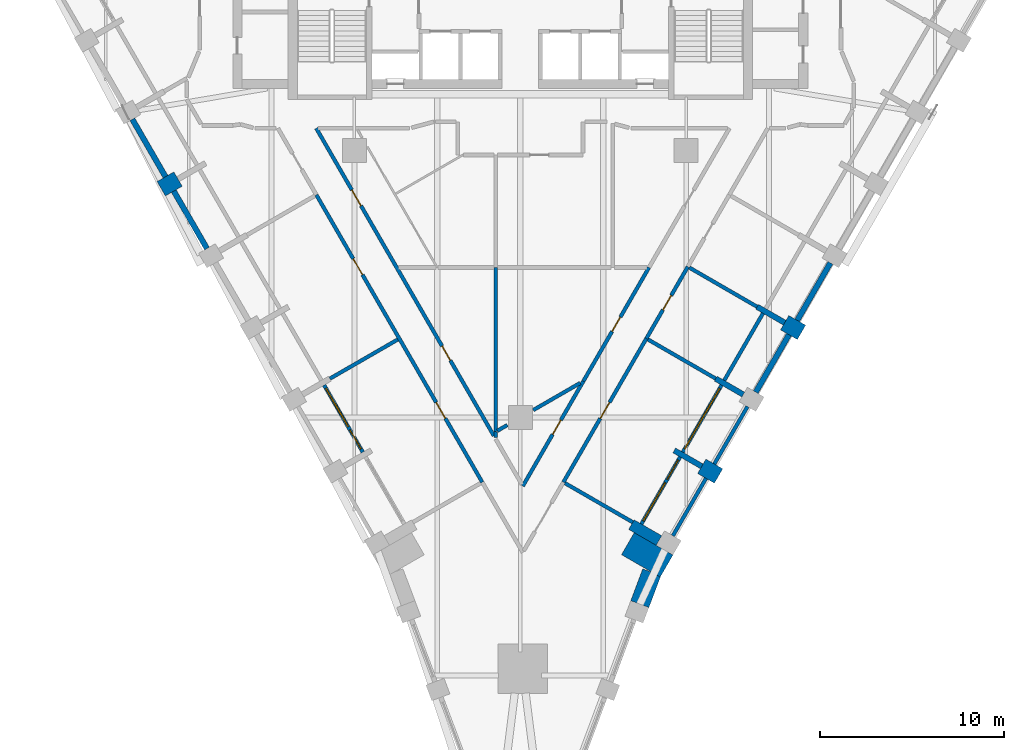
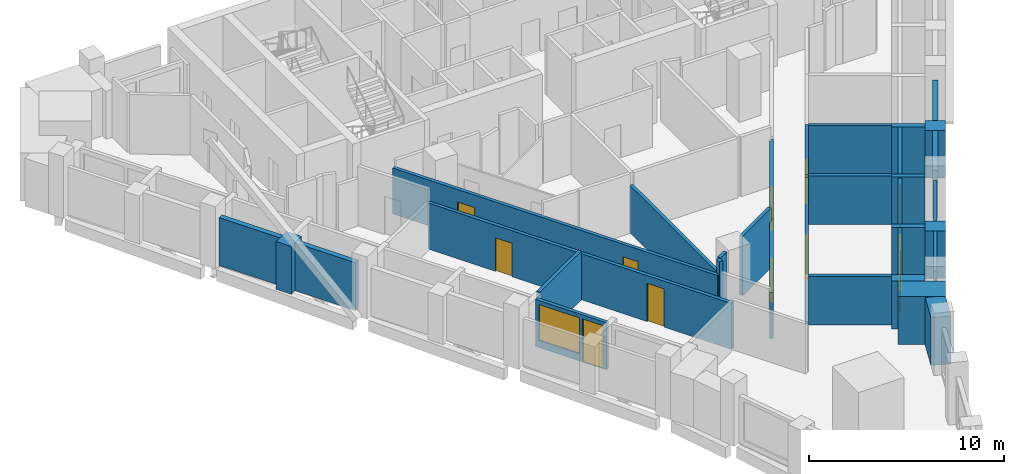
# One storey, part 3 of 9: 33 walls, 10 doors, 3 windows, 13 openings.
"""IFC4 building model written with IfcOpenShell, lengths in metres."""

from ifc_helpers import new_model, si_unit, direction, frame, frame_2d, origin, place, context, subcontext, project, spatial, polyline, rectangle, outline, extrude, material, layer, layer_set, type_object, element, fill, save


model = new_model("IFC4")

# Units and contexts
model_context = context("Model", 3, precision=1e-05, world=origin(), true_north=direction((0.0, 1.0)))
body_context = subcontext(model_context, "Body", "Model", "MODEL_VIEW")
ifc_project = project(units=[si_unit("LENGTHUNIT", "METRE"), si_unit("AREAUNIT", "SQUARE_METRE"), si_unit("VOLUMEUNIT", "CUBIC_METRE"), si_unit("PLANEANGLEUNIT", "RADIAN"), si_unit("MASSUNIT", "GRAM", prefix="KILO")], contexts=[model_context])

# Site, building, storey
site_placement = place(None, origin())
site = spatial("IfcSite", under=ifc_project, at=site_placement, CompositionType="ELEMENT")
building_placement = place(site_placement, origin())
building = spatial("IfcBuilding", under=site, at=building_placement, Name="Calabash Gate Tower", CompositionType="ELEMENT")
storey_placement = place(building_placement, frame((0.0, 0.0, 160.199951171875)))
storey = spatial("IfcBuildingStorey", under=building, at=storey_placement, Name="L37", CompositionType="ELEMENT", Elevation=160.199951171875)

# Walls
ifc_material_1 = material(Name="Terracotta brick masonry, exposed face", Category="masonry")
ifc_layer_1 = layer(ifc_material_1, 2.425048828125)
ifc_layer_set_1 = layer_set([ifc_layer_1], Name="Brick corner mass wall 2425")
wall_type_1 = type_object("IfcWallType", Name="Brick corner mass wall 2425", PredefinedType="SOLIDWALL", material=ifc_layer_set_1)
wall_1_placement = place(storey_placement, frame((5.837890625, -18.843994140625, 0.0), z_axis=(0.0, 0.0, 1.0), x_axis=(0.865997808697, -0.500047793048, 0.0)))
element("IfcWall", 1, at=wall_1_placement, inside=storey, type_object=wall_type_1, Name="Brick corner pier S10 2", PredefinedType="SOLIDWALL", context=body_context, shape_type="SweptSolid", body=[
    extrude(rectangle(XDim=2.425048828125, YDim=1.383544921875, at=frame_2d((1.21240234375, 0.0))), origin(), (0.0, 0.0, 1.0), 3.0),
])
ifc_material_2 = material(Name="Terracotta brick masonry, exposed face", Category="masonry")
ifc_layer_2 = layer(ifc_material_2, 1.050048828125)
ifc_layer_set_2 = layer_set([ifc_layer_2], Name="Brick end wall 1050")
wall_type_2 = type_object("IfcWallType", Name="Brick end wall 1050", PredefinedType="SOLIDWALL", material=ifc_layer_set_2)
wall_2_placement = place(storey_placement, frame((-19.48388671875, 0.417724609375, 0.0), z_axis=(0.0, 0.0, 1.0), x_axis=(0.86592997719, 0.500165247297, 0.0)))
element("IfcWall", 2, at=wall_2_placement, inside=storey, type_object=wall_type_2, Name="Brick pier S10 SW0.3", PredefinedType="SOLIDWALL", context=body_context, shape_type="SweptSolid", body=[
    extrude(rectangle(XDim=1.050048828125, YDim=0.89990234375, at=frame_2d((0.52490234375, 0.0))), origin(), (0.0, 0.0, 1.0), 3.0),
])
for number, where, z_axis, x_axis, name in (
    (3, (9.849609375, -14.645751953125, 0.0), (0.0, 0.0, 1.0), (0.866030680601, -0.499990860175, 0.0), "Brick pier S10 SE4.1"),
    (4, (14.349609375, -6.8515625, 0.0), (0.0, 0.0, 1.0), (0.866030680601, -0.499990860175, 0.0), "Brick pier S10 SE4.3"),
):
    element("IfcWall", number, at=place(storey_placement, frame(where, z_axis=z_axis, x_axis=x_axis)), inside=storey, type_object=wall_type_2, Name=name, PredefinedType="SOLIDWALL", context=body_context, shape_type="SweptSolid", body=[
        extrude(rectangle(XDim=1.0498046875, YDim=0.89990234375, at=frame_2d((0.52490234375, 0.0))), origin(), (0.0, 0.0, 1.0), 3.0),
    ])
wall_3_placement = place(storey_placement, origin())
element("IfcWall", 5, at=wall_3_placement, inside=storey, type_object=wall_type_2, Name="Brick end wall S10 3", PredefinedType="SOLIDWALL", context=body_context, shape_type="SweptSolid", body=[
    extrude(outline(polyline([(6.978759765625, -22.307373046875), (6.978515625, -22.307861328125), (6.978759765625, -22.307861328125), (7.61376953125, -20.618408203125), (7.592041015625, -20.65576171875), (7.137451171875, -20.393310546875), (6.64599609375, -20.20849609375), (5.995849609375, -21.93798828125), (6.978759765625, -22.307373046875)])), origin(), (0.0, 0.0, 1.0), 3.0),
])
ifc_material_3 = material(Name="Terracotta brick masonry, exposed face", Category="masonry")
ifc_layer_3 = layer(ifc_material_3, 0.300048828125)
ifc_layer_set_3 = layer_set([ifc_layer_3], Name="Brick infill panel wall 300")
wall_type_3 = type_object("IfcWallType", Name="Brick infill panel wall 300", PredefinedType="SOLIDWALL", material=ifc_layer_set_3)
wall_4_placement = place(storey_placement, frame((-19.25439453125, 1.070068359375, 0.0), z_axis=(0.0, 0.0, 1.0), x_axis=(-0.499969057507, 0.866043267704, 0.0)))
element("IfcWall", 6, at=wall_4_placement, inside=storey, type_object=wall_type_3, Name="Brick panel S10 SW0.3", PredefinedType="SOLIDWALL", context=body_context, shape_type="SweptSolid", body=[
    extrude(rectangle(XDim=3.599365234375, YDim=0.300048828125, at=frame_2d((1.7998046875, 0.0))), origin(), (0.0, 0.0, 1.0), 3.0),
])
wall_5_placement = place(storey_placement, frame((-18.80419921875, 0.29052734375, 0.0), z_axis=(0.0, 0.0, 1.0), x_axis=(0.499961193289, -0.866047807691, 0.0)))
element("IfcWall", 7, at=wall_5_placement, inside=storey, type_object=wall_type_3, Name="Brick panel S10 SW0.4", PredefinedType="SOLIDWALL", context=body_context, shape_type="SweptSolid", body=[
    extrude(rectangle(XDim=3.599853515625, YDim=0.300048828125, at=frame_2d((1.7998046875, 0.0))), origin(), (0.0, 0.0, 1.0), 3.0),
])
wall_6_placement = place(storey_placement, frame((12.779296875, -10.621337890625, 0.0), z_axis=(0.0, 0.0, 1.0), x_axis=(0.500012057535, 0.866018442252, 0.0)))
element("IfcWall", 8, at=wall_6_placement, inside=storey, type_object=wall_type_3, Name="Brick panel S10 SE4.3", PredefinedType="SOLIDWALL", context=body_context, shape_type="SweptSolid", body=[
    extrude(rectangle(XDim=3.60009765625, YDim=0.300048828125, at=frame_2d((1.800048828125, 0.0))), origin(), (0.0, 0.0, 1.0), 3.0),
])
wall_7_placement = place(storey_placement, frame((15.029296875, -6.724365234375, 0.0), z_axis=(0.0, 0.0, 1.0), x_axis=(0.499982693035, 0.866035395735, 0.0)))
element("IfcWall", 9, at=wall_7_placement, inside=storey, type_object=wall_type_3, Name="Brick panel S10 SE4.4", PredefinedType="SOLIDWALL", context=body_context, shape_type="SweptSolid", body=[
    extrude(rectangle(XDim=3.600341796875, YDim=0.300048828125, at=frame_2d((1.80029296875, 0.0))), origin(), (0.0, 0.0, 1.0), 3.0),
])
ifc_material_4 = material(Name="Terracotta brick masonry, exposed face", Category="masonry")
ifc_layer_4 = layer(ifc_material_4, 0.300048828125)
ifc_layer_set_4 = layer_set([ifc_layer_4], Name="Brick loggia cheek wall 300")
wall_type_4 = type_object("IfcWallType", Name="Brick loggia cheek wall 300", PredefinedType="SOLIDWALL", material=ifc_layer_set_4)
wall_8_placement = place(storey_placement, frame((7.524658203125, -18.672607421875, 0.0), z_axis=(0.0, 0.0, 1.0), x_axis=(-0.866074815912, 0.499914405916, 0.0)))
element("IfcWall", 10, at=wall_8_placement, inside=storey, type_object=wall_type_4, Name="Loggia cheek S10 SE4.0", PredefinedType="SOLIDWALL", context=body_context, shape_type="SweptSolid", body=[
    extrude(rectangle(XDim=1.724853515625, YDim=0.60009765625, at=frame_2d((0.8623046875, 0.0))), origin(), (0.0, 0.0, 1.0), 3.0),
])
wall_9_placement = place(storey_placement, frame((8.355712890625, -13.783203125, 0.0), z_axis=(0.0, 0.0, 1.0), x_axis=(0.866013532718, -0.500020560727, 0.0)))
element("IfcWall", 11, at=wall_9_placement, inside=storey, type_object=wall_type_4, Name="Loggia cheek S10 SE4.1", PredefinedType="SOLIDWALL", context=body_context, shape_type="SweptSolid", body=[
    extrude(rectangle(XDim=1.72509765625, YDim=0.300048828125, at=frame_2d((0.862548828125, 0.0))), origin(), (0.0, 0.0, 1.0), 3.0),
])
wall_10_placement = place(storey_placement, frame((12.099365234375, -10.74853515625, 0.0), z_axis=(0.0, 0.0, 1.0), x_axis=(-0.86597814115, 0.500081852351, 0.0)))
element("IfcWall", 12, at=wall_10_placement, inside=storey, type_object=wall_type_4, Name="Loggia cheek S10 SE4.2", PredefinedType="SOLIDWALL", context=body_context, shape_type="SweptSolid", body=[
    extrude(rectangle(XDim=1.724853515625, YDim=0.300048828125, at=frame_2d((0.8623046875, 0.0))), origin(), (0.0, 0.0, 1.0), 3.0),
])
wall_11_placement = place(storey_placement, frame((14.349609375, -6.8515625, 0.0), z_axis=(0.0, 0.0, 1.0), x_axis=(-0.866013532718, 0.500020560727, 0.0)))
element("IfcWall", 13, at=wall_11_placement, inside=storey, type_object=wall_type_4, Name="Loggia cheek S10 SE4.3", PredefinedType="SOLIDWALL", context=body_context, shape_type="SweptSolid", body=[
    extrude(rectangle(XDim=1.72509765625, YDim=0.300048828125, at=frame_2d((0.862548828125, 0.0))), origin(), (0.0, 0.0, 1.0), 3.0),
])
ifc_material_5 = material(Name="Gypsum board on steel studs, mineral wool", Category="steel")
ifc_layer_5 = layer(ifc_material_5, 0.199951171875)
ifc_layer_set_5 = layer_set([ifc_layer_5], Name="Partition 200 gypsum board EI 60")
wall_type_5 = type_object("IfcWallType", Name="Partition 200 gypsum board EI 60", PredefinedType="PARTITIONING", material=ifc_layer_set_5)
wall_12_placement = place(storey_placement, frame((2.424560546875, -15.557373046875, 0.0), z_axis=(0.0, 0.0, 1.0), x_axis=(0.866217148336, -0.499667741532, 0.0)))
element("IfcWall", 14, at=wall_12_placement, inside=storey, type_object=wall_type_5, Name="Partition", PredefinedType="PARTITIONING", context=body_context, shape_type="SweptSolid", body=[
    extrude(rectangle(XDim=4.24951171875, YDim=0.199951171875, at=frame_2d((2.124755859375, 0.0))), origin(), (0.0, 0.0, 1.0), 3.052001953125),
])

# Wall, opening, door
wall_13_placement = place(storey_placement, frame((0.137451171875, -15.71728515625, 0.0), z_axis=(0.0, 0.0, 1.0), x_axis=(0.499742818956, 0.866173836422, 0.0)))
wall_13 = element("IfcWall", 15, at=wall_13_placement, inside=storey, type_object=wall_type_5, Name="Partition", PredefinedType="PARTITIONING", context=body_context, shape_type="SweptSolid", body=[
    extrude(rectangle(XDim=6.57275390625, YDim=0.199951171875, at=frame_2d((3.286376953125, 0.0))), origin(), (0.0, 0.0, 1.0), 2.884033203125),
])
opening_1_placement = place(wall_13_placement, frame((3.23779296875, 0.0, 0.0)))
opening_1 = element("IfcOpeningElement", 16, at=opening_1_placement, cuts=wall_13, Name="Opening 36-38-009", PredefinedType="OPENING", context=body_context, shape_type="SweptSolid", body=[
    extrude(rectangle(XDim=0.89990234375, YDim=2.10009765625, at=frame_2d((0.449951171875, 1.050048828125))), frame((0.0, 0.10986328125, 0.0), z_axis=(0.0, -1.0, 0.0), x_axis=(1.0, 0.0, 0.0)), (0.0, 0.0, 1.0), 0.219970703125),
])
ifc_material_6 = material(Name="Steel fire door set with fire-resisting glazing", Category="steel")
door_type_1 = type_object("IfcDoorType", Name="SD3 Store door 900x2100", OperationType="NOTDEFINED", PredefinedType="DOOR", material=ifc_material_6)
door_1_placement = place(opening_1_placement, origin())
door_1 = element("IfcDoor", 17, at=door_1_placement, inside=storey, type_object=door_type_1, Name="Store door", OperationType="SINGLE_SWING_RIGHT", OverallHeight=2.10009765625, OverallWidth=0.89990234375, PredefinedType="DOOR", context=body_context, shape_type="SweptSolid", body=[
    extrude(rectangle(XDim=0.89990234375, YDim=2.10009765625, at=frame_2d((0.449951171875, 1.050048828125))), frame((0.0, 0.02490234375, 0.0), z_axis=(0.0, -1.0, 0.0), x_axis=(1.0, 0.0, 0.0)), (0.0, 0.0, 1.0), 0.050048828125),
])
fill(opening_1, door_1)

# Wall, openings, doors
wall_14_placement = place(storey_placement, frame((-11.065185546875, 0.082275390625, 0.0), z_axis=(0.0, 0.0, 1.0), x_axis=(0.499996012009, -0.86602770624, 0.0)))
wall_14 = element("IfcWall", 18, at=wall_14_placement, inside=storey, type_object=wall_type_5, Name="Partition", PredefinedType="PARTITIONING", context=body_context, shape_type="SweptSolid", body=[
    extrude(rectangle(XDim=18.000244140625, YDim=0.199951171875, at=frame_2d((9.0, 0.0))), origin(), (0.0, 0.0, 1.0), 2.884033203125),
])
opening_2_placement = place(wall_14_placement, frame((4.0, 0.0, 0.0)))
opening_2 = element("IfcOpeningElement", 19, at=opening_2_placement, cuts=wall_14, Name="Opening 36-38-001", PredefinedType="OPENING", context=body_context, shape_type="SweptSolid", body=[
    extrude(rectangle(XDim=1.0, YDim=2.10009765625, at=frame_2d((0.5, 1.050048828125))), frame((0.0, 0.10986328125, 0.0), z_axis=(0.0, -1.0, 0.0), x_axis=(1.0, 0.0, 0.0)), (0.0, 0.0, 1.0), 0.219970703125),
])
opening_3_placement = place(wall_14_placement, frame((13.000244140625, 0.0, 0.0)))
opening_3 = element("IfcOpeningElement", 20, at=opening_3_placement, cuts=wall_14, Name="Opening 36-38-002", PredefinedType="OPENING", context=body_context, shape_type="SweptSolid", body=[
    extrude(rectangle(XDim=1.0, YDim=2.39990234375, at=frame_2d((0.5, 1.199951171875))), frame((0.0, 0.10986328125, 0.0), z_axis=(0.0, -1.0, 0.0), x_axis=(1.0, 0.0, 0.0)), (0.0, 0.0, 1.0), 0.219970703125),
])
ifc_material_7 = material(Name="Steel fire door set with fire-resisting glazing", Category="steel")
door_type_2 = type_object("IfcDoorType", Name="LD2 Meeting room door 1000x2100", OperationType="NOTDEFINED", PredefinedType="DOOR", material=ifc_material_7)
door_2_placement = place(opening_2_placement, origin())
door_2 = element("IfcDoor", 21, at=door_2_placement, inside=storey, type_object=door_type_2, Name="Meeting room door", OperationType="SINGLE_SWING_LEFT", OverallHeight=2.10009765625, OverallWidth=1.0, PredefinedType="DOOR", context=body_context, shape_type="SweptSolid", body=[
    extrude(rectangle(XDim=1.0, YDim=2.10009765625, at=frame_2d((0.5, 1.050048828125))), frame((0.0, 0.02490234375, 0.0), z_axis=(0.0, -1.0, 0.0), x_axis=(1.0, 0.0, 0.0)), (0.0, 0.0, 1.0), 0.050048828125),
])
fill(opening_2, door_2)
ifc_material_8 = material(Name="Painted timber door", Category="wood")
door_type_3 = type_object("IfcDoorType", Name="OD2 Glazed office door 1000x2400", OperationType="NOTDEFINED", PredefinedType="DOOR", material=ifc_material_8)
door_3_placement = place(opening_3_placement, origin())
door_3 = element("IfcDoor", 22, at=door_3_placement, inside=storey, type_object=door_type_3, Name="Glazed office door", OperationType="SINGLE_SWING_LEFT", OverallHeight=2.39990234375, OverallWidth=1.0, PredefinedType="DOOR", context=body_context, shape_type="SweptSolid", body=[
    extrude(rectangle(XDim=1.0, YDim=2.39990234375, at=frame_2d((0.5, 1.199951171875))), frame((0.0, 0.02490234375, 0.0), z_axis=(0.0, -1.0, 0.0), x_axis=(1.0, 0.0, 0.0)), (0.0, 0.0, 1.0), 0.050048828125),
])
fill(opening_3, door_3)

# Walls
wall_15_placement = place(storey_placement, frame((-1.3330078125, -13.069580078125, 0.0), z_axis=(0.0, 0.0, 1.0), x_axis=(0.004870072116, 0.999988141128, 0.0)))
element("IfcWall", 23, at=wall_15_placement, inside=storey, type_object=wall_type_5, Name="Partition", PredefinedType="PARTITIONING", context=body_context, shape_type="SweptSolid", body=[
    extrude(rectangle(XDim=0.30078125, YDim=0.199951171875, at=frame_2d((0.150390625, 0.0))), origin(), (0.0, 0.0, 1.0), 3.72998046875),
])
wall_16_placement = place(storey_placement, frame((-1.244873046875, -12.716796875, 0.0), z_axis=(0.0, 0.0, 1.0), x_axis=(0.867141243483, 0.498062309205, 0.0)))
element("IfcWall", 24, at=wall_16_placement, inside=storey, type_object=wall_type_5, Name="Partition", PredefinedType="PARTITIONING", context=body_context, shape_type="SweptSolid", body=[
    extrude(rectangle(XDim=0.62841796875, YDim=0.199951171875, at=frame_2d((0.314208984375, 0.0))), origin(), (0.0, 0.0, 1.0), 3.72998046875),
])
wall_17_placement = place(storey_placement, frame((0.699951171875, -11.595703125, 0.0), z_axis=(0.0, 0.0, 1.0), x_axis=(0.866014325049, 0.500019188443, 0.0)))
element("IfcWall", 25, at=wall_17_placement, inside=storey, type_object=wall_type_5, Name="Partition", PredefinedType="PARTITIONING", context=body_context, shape_type="SweptSolid", body=[
    extrude(rectangle(XDim=2.94384765625, YDim=0.199951171875, at=frame_2d((1.471923828125, 0.0))), origin(), (0.0, 0.0, 1.0), 3.72998046875),
])

# Wall, opening, door
wall_18_placement = place(storey_placement, frame((3.425537109375, -10.02197265625, 0.0), z_axis=(0.0, 0.0, 1.0), x_axis=(0.499791742778, 0.866145607765, 0.0)))
wall_18 = element("IfcWall", 26, at=wall_18_placement, inside=storey, type_object=wall_type_5, Name="Partition", PredefinedType="PARTITIONING", context=body_context, shape_type="SweptSolid", body=[
    extrude(rectangle(XDim=7.1171875, YDim=0.199951171875, at=frame_2d((3.55859375, 0.0))), origin(), (0.0, 0.0, 1.0), 2.884033203125),
])
opening_4_placement = place(wall_18_placement, frame((3.110107421875, 0.0, 0.0)))
opening_4 = element("IfcOpeningElement", 27, at=opening_4_placement, cuts=wall_18, Name="Opening 36-38-010", PredefinedType="OPENING", context=body_context, shape_type="SweptSolid", body=[
    extrude(rectangle(XDim=0.89990234375, YDim=2.10009765625, at=frame_2d((0.449951171875, 1.050048828125))), frame((0.0, 0.10986328125, 0.0), z_axis=(0.0, -1.0, 0.0), x_axis=(1.0, 0.0, 0.0)), (0.0, 0.0, 1.0), 0.219970703125),
])
door_4_placement = place(opening_4_placement, origin())
door_4 = element("IfcDoor", 28, at=door_4_placement, inside=storey, type_object=door_type_1, Name="Store door", OperationType="SINGLE_SWING_RIGHT", OverallHeight=2.10009765625, OverallWidth=0.89990234375, PredefinedType="DOOR", context=body_context, shape_type="SweptSolid", body=[
    extrude(rectangle(XDim=0.89990234375, YDim=2.10009765625, at=frame_2d((0.449951171875, 1.050048828125))), frame((0.0, 0.02490234375, 0.0), z_axis=(0.0, -1.0, 0.0), x_axis=(1.0, 0.0, 0.0)), (0.0, 0.0, 1.0), 0.050048828125),
])
fill(opening_4, door_4)

# Walls
wall_19_placement = place(storey_placement, frame((-10.330810546875, -9.88623046875, 0.0), z_axis=(0.0, 0.0, 1.0), x_axis=(0.866245832331, 0.499618012055, 0.0)))
element("IfcWall", 29, at=wall_19_placement, inside=storey, type_object=wall_type_5, Name="Partition", PredefinedType="PARTITIONING", context=body_context, shape_type="SweptSolid", body=[
    extrude(rectangle(XDim=4.249755859375, YDim=0.199951171875, at=frame_2d((2.125, 0.0))), origin(), (0.0, 0.0, 1.0), 3.052001953125),
])
wall_20_placement = place(storey_placement, frame((6.927734375, -7.760498046875, 0.0), z_axis=(0.0, 0.0, 1.0), x_axis=(0.86582081126, -0.500354197333, 0.0)))
element("IfcWall", 30, at=wall_20_placement, inside=storey, type_object=wall_type_5, Name="Partition", PredefinedType="PARTITIONING", context=body_context, shape_type="SweptSolid", body=[
    extrude(rectangle(XDim=4.248046875, YDim=0.199951171875, at=frame_2d((2.1240234375, 0.0))), origin(), (0.0, 0.0, 1.0), 3.052001953125),
])

# Wall, opening, door
wall_21_placement = place(storey_placement, frame((2.340087890625, -15.50634765625, 0.0), z_axis=(0.0, 0.0, 1.0), x_axis=(0.5000018851, 0.866024315419, 0.0)))
wall_21 = element("IfcWall", 31, at=wall_21_placement, inside=storey, type_object=wall_type_5, Name="Partition", PredefinedType="PARTITIONING", context=body_context, shape_type="SweptSolid", body=[
    extrude(rectangle(XDim=9.0, YDim=0.199951171875, at=frame_2d((4.5, 0.0))), origin(), (0.0, 0.0, 1.0), 2.884033203125),
])
opening_5_placement = place(wall_21_placement, frame((4.0, 0.0, 0.0)))
opening_5 = element("IfcOpeningElement", 32, at=opening_5_placement, cuts=wall_21, Name="Opening 36-38-003", PredefinedType="OPENING", context=body_context, shape_type="SweptSolid", body=[
    extrude(rectangle(XDim=1.0, YDim=2.10009765625, at=frame_2d((0.5, 1.050048828125))), frame((0.0, 0.10986328125, 0.0), z_axis=(0.0, -1.0, 0.0), x_axis=(1.0, 0.0, 0.0)), (0.0, 0.0, 1.0), 0.219970703125),
])
door_5_placement = place(opening_5_placement, origin())
door_5 = element("IfcDoor", 33, at=door_5_placement, inside=storey, type_object=door_type_2, Name="Meeting room door", OperationType="SINGLE_SWING_RIGHT", OverallHeight=2.10009765625, OverallWidth=1.0, PredefinedType="DOOR", context=body_context, shape_type="SweptSolid", body=[
    extrude(rectangle(XDim=1.0, YDim=2.10009765625, at=frame_2d((0.5, 1.050048828125))), frame((0.0, 0.02490234375, 0.0), z_axis=(0.0, -1.0, 0.0), x_axis=(1.0, 0.0, 0.0)), (0.0, 0.0, 1.0), 0.050048828125),
])
fill(opening_5, door_5)

# Walls
wall_22_placement = place(storey_placement, frame((-1.33154296875, -12.7666015625, 0.0), z_axis=(0.0, 0.0, 1.0), x_axis=(0.0, 1.0, 0.0)))
element("IfcWall", 34, at=wall_22_placement, inside=storey, type_object=wall_type_5, Name="Partition", PredefinedType="PARTITIONING", context=body_context, shape_type="SweptSolid", body=[
    extrude(rectangle(XDim=8.9091796875, YDim=0.199951171875, at=frame_2d((4.45458984375, 0.0))), origin(), (0.0, 0.0, 1.0), 2.9501953125),
])
wall_23_placement = place(storey_placement, frame((9.17626953125, -3.8623046875, 0.0), z_axis=(0.0, 0.0, 1.0), x_axis=(0.865807555134, -0.500377135241, 0.0)))
element("IfcWall", 35, at=wall_23_placement, inside=storey, type_object=wall_type_5, Name="Partition", PredefinedType="PARTITIONING", context=body_context, shape_type="SweptSolid", body=[
    extrude(rectangle(XDim=4.249755859375, YDim=0.199951171875, at=frame_2d((2.125, 0.0))), origin(), (0.0, 0.0, 1.0), 3.052001953125),
])

# Wall, opening, door
wall_24_placement = place(storey_placement, frame((6.84130859375, -7.710205078125, 0.0), z_axis=(0.0, 0.0, 1.0), x_axis=(0.499974615194, 0.866040059213, 0.0)))
wall_24 = element("IfcWall", 36, at=wall_24_placement, inside=storey, type_object=wall_type_5, Name="Partition", PredefinedType="PARTITIONING", context=body_context, shape_type="SweptSolid", body=[
    extrude(rectangle(XDim=4.497802734375, YDim=0.199951171875, at=frame_2d((2.2490234375, 0.0))), origin(), (0.0, 0.0, 1.0), 3.052001953125),
])
opening_6_placement = place(wall_24_placement, frame((1.798095703125, 0.0, 0.0)))
opening_6 = element("IfcOpeningElement", 37, at=opening_6_placement, cuts=wall_24, Name="Opening 36-38-004", PredefinedType="OPENING", context=body_context, shape_type="SweptSolid", body=[
    extrude(rectangle(XDim=0.89990234375, YDim=2.10009765625, at=frame_2d((0.449951171875, 1.050048828125))), frame((0.0, 0.10986328125, 0.0), z_axis=(0.0, -1.0, 0.0), x_axis=(1.0, 0.0, 0.0)), (0.0, 0.0, 1.0), 0.219970703125),
])
door_6_placement = place(opening_6_placement, origin())
door_6 = element("IfcDoor", 38, at=door_6_placement, inside=storey, type_object=door_type_1, Name="Store door", OperationType="SINGLE_SWING_RIGHT", OverallHeight=2.10009765625, OverallWidth=0.89990234375, PredefinedType="DOOR", context=body_context, shape_type="SweptSolid", body=[
    extrude(rectangle(XDim=0.89990234375, YDim=2.10009765625, at=frame_2d((0.449951171875, 1.050048828125))), frame((0.0, 0.02490234375, 0.0), z_axis=(0.0, -1.0, 0.0), x_axis=(1.0, 0.0, 0.0)), (0.0, 0.0, 1.0), 0.050048828125),
])
fill(opening_6, door_6)

# Wall, openings, doors
wall_25_placement = place(storey_placement, frame((-11.072998046875, 3.69970703125, 0.0), z_axis=(0.0, 0.0, 1.0), x_axis=(0.50018368245, -0.865919328697, 0.0)))
wall_25 = element("IfcWall", 39, at=wall_25_placement, inside=storey, type_object=wall_type_5, Name="Partition", PredefinedType="PARTITIONING", context=body_context, shape_type="SweptSolid", body=[
    extrude(rectangle(XDim=19.273681640625, YDim=0.199951171875, at=frame_2d((9.63671875, 0.0))), origin(), (0.0, 0.0, 1.0), 2.884033203125),
])
opening_7_placement = place(wall_25_placement, frame((13.6513671875, 0.0, 0.0)))
opening_7 = element("IfcOpeningElement", 40, at=opening_7_placement, cuts=wall_25, Name="Opening 36-38-008", PredefinedType="OPENING", context=body_context, shape_type="SweptSolid", body=[
    extrude(rectangle(XDim=0.89990234375, YDim=2.10009765625, at=frame_2d((0.449951171875, 1.050048828125))), frame((0.0, 0.10986328125, 0.0), z_axis=(0.0, -1.0, 0.0), x_axis=(1.0, 0.0, 0.0)), (0.0, 0.0, 1.0), 0.219970703125),
])
opening_8_placement = place(wall_25_placement, frame((3.862060546875, 0.0, 0.0)))
opening_8 = element("IfcOpeningElement", 41, at=opening_8_placement, cuts=wall_25, Name="Opening 36-38-016", PredefinedType="OPENING", context=body_context, shape_type="SweptSolid", body=[
    extrude(rectangle(XDim=1.0, YDim=2.10009765625, at=frame_2d((0.5, 1.050048828125))), frame((0.0, 0.10986328125, 0.0), z_axis=(0.0, -1.0, 0.0), x_axis=(1.0, 0.0, 0.0)), (0.0, 0.0, 1.0), 0.219970703125),
])
door_7_placement = place(opening_7_placement, origin())
door_7 = element("IfcDoor", 42, at=door_7_placement, inside=storey, type_object=door_type_1, Name="Store door", OperationType="SINGLE_SWING_RIGHT", OverallHeight=2.10009765625, OverallWidth=0.89990234375, PredefinedType="DOOR", context=body_context, shape_type="SweptSolid", body=[
    extrude(rectangle(XDim=0.89990234375, YDim=2.10009765625, at=frame_2d((0.449951171875, 1.050048828125))), frame((0.0, 0.02490234375, 0.0), z_axis=(0.0, -1.0, 0.0), x_axis=(1.0, 0.0, 0.0)), (0.0, 0.0, 1.0), 0.050048828125),
])
fill(opening_7, door_7)
ifc_material_9 = material(Name="Steel fire door set with fire-resisting glazing", Category="steel")
door_type_4 = type_object("IfcDoorType", Name="WD3 WC lobby door 1000x2100", OperationType="NOTDEFINED", PredefinedType="DOOR", material=ifc_material_9)
door_8_placement = place(opening_8_placement, origin())
door_8 = element("IfcDoor", 43, at=door_8_placement, inside=storey, type_object=door_type_4, Name="WC lobby door", OperationType="SINGLE_SWING_LEFT", OverallHeight=2.10009765625, OverallWidth=1.0, PredefinedType="DOOR", context=body_context, shape_type="SweptSolid", body=[
    extrude(rectangle(XDim=1.0, YDim=2.10009765625, at=frame_2d((0.5, 1.050048828125))), frame((0.0, 0.02490234375, 0.0), z_axis=(0.0, -1.0, 0.0), x_axis=(1.0, 0.0, 0.0)), (0.0, 0.0, 1.0), 0.050048828125),
])
fill(opening_8, door_8)

# Walls
ifc_material_10 = material(Name="Terracotta brick masonry, perforated", Category="masonry")
ifc_layer_6 = layer(ifc_material_10, 0.199951171875)
ifc_layer_set_6 = layer_set([ifc_layer_6], Name="Terracotta jaali screen B")
wall_type_6 = type_object("IfcWallType", Name="Terracotta jaali screen B", PredefinedType="SOLIDWALL", material=ifc_layer_set_6)
wall_26_placement = place(storey_placement, origin())
element("IfcWall", 44, at=wall_26_placement, inside=storey, type_object=wall_type_6, Name="SCREEN B S10 SE4.1", PredefinedType="SOLIDWALL", context=body_context, shape_type="SweptSolid", body=[
    extrude(outline(polyline([(9.99267578125, -15.247802734375), (8.193603515625, -18.364013671875), (8.36669921875, -18.4638671875), (10.165771484375, -15.347900390625), (9.99267578125, -15.247802734375)])), origin(), (0.0, 0.0, 1.0), 3.0),
])
wall_27_placement = place(storey_placement, frame((10.529296875, -14.5185546875, 0.0), z_axis=(0.0, 0.0, 1.0), x_axis=(0.500012057535, 0.866018442252, 0.0)))
element("IfcWall", 45, at=wall_27_placement, inside=storey, type_object=wall_type_6, Name="SCREEN B S10 SE4.2", PredefinedType="SOLIDWALL", context=body_context, shape_type="SweptSolid", body=[
    extrude(rectangle(XDim=3.60009765625, YDim=0.199951171875, at=frame_2d((1.800048828125, 0.0))), origin(), (0.0, 0.0, 1.0), 3.0),
])

# Wall, openings, door, window
ifc_material_11 = material(Name="Aluminium framed window wall with insulated spandrel", Category="aluminium")
ifc_layer_7 = layer(ifc_material_11, 0.199951171875)
ifc_layer_set_7 = layer_set([ifc_layer_7], Name="Window wall 200")
wall_type_7 = type_object("IfcWallType", Name="Window wall 200", PredefinedType="ELEMENTEDWALL", material=ifc_layer_set_7)
wall_28_placement = place(storey_placement, frame((-10.6455078125, -10.240966796875, 0.0), z_axis=(0.0, 0.0, 1.0), x_axis=(0.500027713859, -0.866009402589, 0.0)))
wall_28 = element("IfcWall", 46, at=wall_28_placement, inside=storey, type_object=wall_type_7, Name="Window wall S10 SW0.7", PredefinedType="ELEMENTEDWALL", context=body_context, shape_type="SweptSolid", body=[
    extrude(rectangle(XDim=4.199951171875, YDim=0.199951171875, at=frame_2d((2.10009765625, 0.0))), origin(), (0.0, 0.0, 1.0), 2.9501953125),
])
opening_9_placement = place(wall_28_placement, frame((0.199951171875, 0.0, 0.449951171875)))
opening_9 = element("IfcOpeningElement", 47, at=opening_9_placement, cuts=wall_28, Name="Opening OW1", PredefinedType="OPENING", context=body_context, shape_type="SweptSolid", body=[
    extrude(rectangle(XDim=2.39990234375, YDim=2.25, at=frame_2d((1.199951171875, 1.125))), frame((0.0, 0.10986328125, 0.0), z_axis=(0.0, -1.0, 0.0), x_axis=(1.0, 0.0, 0.0)), (0.0, 0.0, 1.0), 0.219970703125),
])
opening_10_placement = place(wall_28_placement, frame((2.800048828125, 0.0, 0.0)))
opening_10 = element("IfcOpeningElement", 48, at=opening_10_placement, cuts=wall_28, Name="Opening O2-023", PredefinedType="OPENING", context=body_context, shape_type="SweptSolid", body=[
    extrude(rectangle(XDim=1.199951171875, YDim=2.699951171875, at=frame_2d((0.60009765625, 1.35009765625))), frame((0.0, 0.10986328125, 0.0), z_axis=(0.0, -1.0, 0.0), x_axis=(1.0, 0.0, 0.0)), (0.0, 0.0, 1.0), 0.219970703125),
])
ifc_material_12 = material(Name="Anodised aluminium frame, bronze finish, impact-rated laminated clear glazing", Category="aluminium")
door_type_5 = type_object("IfcDoorType", Name="Loggia door DO1 1200x2700", OperationType="SLIDING_TO_LEFT", PredefinedType="DOOR", material=ifc_material_12)
door_9_placement = place(opening_10_placement, origin())
door_9 = element("IfcDoor", 49, at=door_9_placement, inside=storey, type_object=door_type_5, Name="Loggia door S10 SW0.7", OperationType="SINGLE_SWING_LEFT", OverallHeight=2.699951171875, OverallWidth=1.199951171875, PredefinedType="DOOR", context=body_context, shape_type="SweptSolid", body=[
    extrude(rectangle(XDim=1.199951171875, YDim=2.699951171875, at=frame_2d((0.60009765625, 1.35009765625))), frame((0.0, 0.02490234375, 0.0), z_axis=(0.0, -1.0, 0.0), x_axis=(1.0, 0.0, 0.0)), (0.0, 0.0, 1.0), 0.050048828125),
])
fill(opening_10, door_9)
ifc_material_13 = material(Name="Anodised aluminium frame, bronze finish, impact-rated laminated clear glazing", Category="aluminium")
window_type_1 = type_object("IfcWindowType", Name="Window OW1 2400x2250", PartitioningType="DOUBLE_PANEL_VERTICAL", PredefinedType="WINDOW", material=ifc_material_13)
window_1_placement = place(opening_9_placement, origin())
window_1 = element("IfcWindow", 50, at=window_1_placement, inside=storey, type_object=window_type_1, Name="Window OW1 S10 SW0.7", OverallHeight=2.25, OverallWidth=2.39990234375, PartitioningType="SINGLE_PANEL", PredefinedType="WINDOW", context=body_context, shape_type="SweptSolid", body=[
    extrude(rectangle(XDim=2.39990234375, YDim=2.25, at=frame_2d((1.199951171875, 1.125))), frame((0.0, 0.030029296875, 0.0), z_axis=(0.0, -1.0, 0.0), x_axis=(1.0, 0.0, 0.0)), (0.0, 0.0, 1.0), 0.06005859375),
])
fill(opening_9, window_1)

wall_29_placement = place(storey_placement, frame((6.5703125, -17.775390625, 0.0), z_axis=(0.0, 0.0, 1.0), x_axis=(0.500027713859, 0.866009402589, 0.0)))
wall_29 = element("IfcWall", 51, at=wall_29_placement, inside=storey, type_object=wall_type_7, Name="Window wall S10 SE4.1", PredefinedType="ELEMENTEDWALL", context=body_context, shape_type="SweptSolid", body=[
    extrude(rectangle(XDim=4.199951171875, YDim=0.199951171875, at=frame_2d((2.10009765625, 0.0))), origin(), (0.0, 0.0, 1.0), 3.0),
])
opening_11_placement = place(wall_29_placement, frame((0.199951171875, 0.0, 0.449951171875)))
opening_11 = element("IfcOpeningElement", 52, at=opening_11_placement, cuts=wall_29, Name="Opening OW1", PredefinedType="OPENING", context=body_context, shape_type="SweptSolid", body=[
    extrude(rectangle(XDim=2.39990234375, YDim=2.25, at=frame_2d((1.199951171875, 1.125))), frame((0.0, 0.10986328125, 0.0), z_axis=(0.0, -1.0, 0.0), x_axis=(1.0, 0.0, 0.0)), (0.0, 0.0, 1.0), 0.219970703125),
])
opening_12_placement = place(wall_29_placement, frame((2.800048828125, 0.0, 0.0)))
opening_12 = element("IfcOpeningElement", 53, at=opening_12_placement, cuts=wall_29, Name="Opening O2-021", PredefinedType="OPENING", context=body_context, shape_type="SweptSolid", body=[
    extrude(rectangle(XDim=1.199951171875, YDim=2.699951171875, at=frame_2d((0.60009765625, 1.35009765625))), frame((0.0, 0.10986328125, 0.0), z_axis=(0.0, -1.0, 0.0), x_axis=(1.0, 0.0, 0.0)), (0.0, 0.0, 1.0), 0.219970703125),
])
door_10_placement = place(opening_12_placement, origin())
door_10 = element("IfcDoor", 54, at=door_10_placement, inside=storey, type_object=door_type_5, Name="Loggia door S10 SE4.1", OperationType="SINGLE_SWING_LEFT", OverallHeight=2.699951171875, OverallWidth=1.199951171875, PredefinedType="DOOR", context=body_context, shape_type="SweptSolid", body=[
    extrude(rectangle(XDim=1.199951171875, YDim=2.699951171875, at=frame_2d((0.60009765625, 1.35009765625))), frame((0.0, 0.02490234375, 0.0), z_axis=(0.0, -1.0, 0.0), x_axis=(1.0, 0.0, 0.0)), (0.0, 0.0, 1.0), 0.050048828125),
])
fill(opening_12, door_10)
window_2_placement = place(opening_11_placement, origin())
window_2 = element("IfcWindow", 55, at=window_2_placement, inside=storey, type_object=window_type_1, Name="Window OW1 S10 SE4.1", OverallHeight=2.25, OverallWidth=2.39990234375, PartitioningType="SINGLE_PANEL", PredefinedType="WINDOW", context=body_context, shape_type="SweptSolid", body=[
    extrude(rectangle(XDim=2.39990234375, YDim=2.25, at=frame_2d((1.199951171875, 1.125))), frame((0.0, 0.030029296875, 0.0), z_axis=(0.0, -1.0, 0.0), x_axis=(1.0, 0.0, 0.0)), (0.0, 0.0, 1.0), 0.06005859375),
])
fill(opening_11, window_2)

# Wall, opening, window
wall_30_placement = place(storey_placement, frame((8.8203125, -13.878173828125, 0.0), z_axis=(0.0, 0.0, 1.0), x_axis=(0.500027713859, 0.866009402589, 0.0)))
wall_30 = element("IfcWall", 56, at=wall_30_placement, inside=storey, type_object=wall_type_7, Name="Window wall S10 SE4.2", PredefinedType="ELEMENTEDWALL", context=body_context, shape_type="SweptSolid", body=[
    extrude(rectangle(XDim=4.199951171875, YDim=0.199951171875, at=frame_2d((2.10009765625, 0.0))), origin(), (0.0, 0.0, 1.0), 2.9501953125),
])
opening_13_placement = place(wall_30_placement, frame((0.199951171875, 0.0, 0.449951171875)))
opening_13 = element("IfcOpeningElement", 57, at=opening_13_placement, cuts=wall_30, Name="Opening OW2", PredefinedType="OPENING", context=body_context, shape_type="SweptSolid", body=[
    extrude(rectangle(XDim=3.800048828125, YDim=2.25, at=frame_2d((1.89990234375, 1.125))), frame((0.0, 0.10986328125, 0.0), z_axis=(0.0, -1.0, 0.0), x_axis=(1.0, 0.0, 0.0)), (0.0, 0.0, 1.0), 0.219970703125),
])
ifc_material_14 = material(Name="Anodised aluminium frame, bronze finish, impact-rated laminated clear glazing", Category="aluminium")
window_type_2 = type_object("IfcWindowType", Name="Window OW2 3800x2250", PartitioningType="TRIPLE_PANEL_VERTICAL", PredefinedType="WINDOW", material=ifc_material_14)
window_3_placement = place(opening_13_placement, origin())
window_3 = element("IfcWindow", 58, at=window_3_placement, inside=storey, type_object=window_type_2, Name="Window OW2 S10 SE4.2", OverallHeight=2.25, OverallWidth=3.800048828125, PartitioningType="SINGLE_PANEL", PredefinedType="WINDOW", context=body_context, shape_type="SweptSolid", body=[
    extrude(rectangle(XDim=3.800048828125, YDim=2.25, at=frame_2d((1.89990234375, 1.125))), frame((0.0, 0.030029296875, 0.0), z_axis=(0.0, -1.0, 0.0), x_axis=(1.0, 0.0, 0.0)), (0.0, 0.0, 1.0), 0.06005859375),
])
fill(opening_13, window_3)

# Wall
wall_31_placement = place(storey_placement, frame((11.0703125, -9.981201171875, 0.0), z_axis=(0.0, 0.0, 1.0), x_axis=(0.500002543286, 0.866023935413, 0.0)))
element("IfcWall", 59, at=wall_31_placement, inside=storey, type_object=wall_type_7, Name="Window wall S10 SE4.3", PredefinedType="ELEMENTEDWALL", context=body_context, shape_type="SweptSolid", body=[
    extrude(rectangle(XDim=4.2001953125, YDim=0.199951171875, at=frame_2d((2.10009765625, 0.0))), origin(), (0.0, 0.0, 1.0), 3.0),
])

save(model, "model.ifc")
